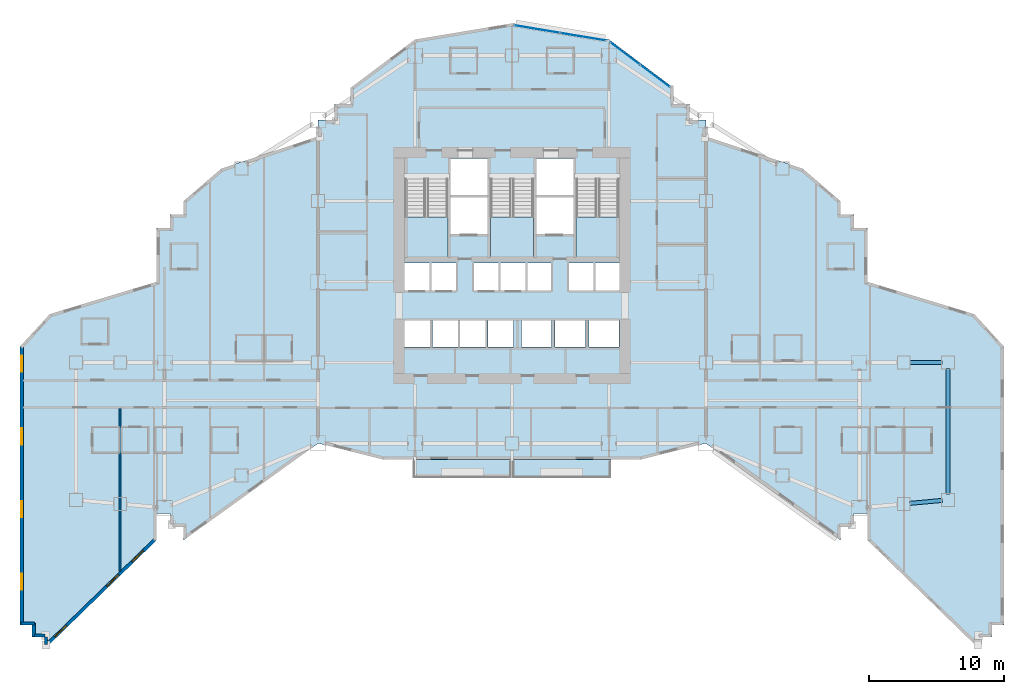
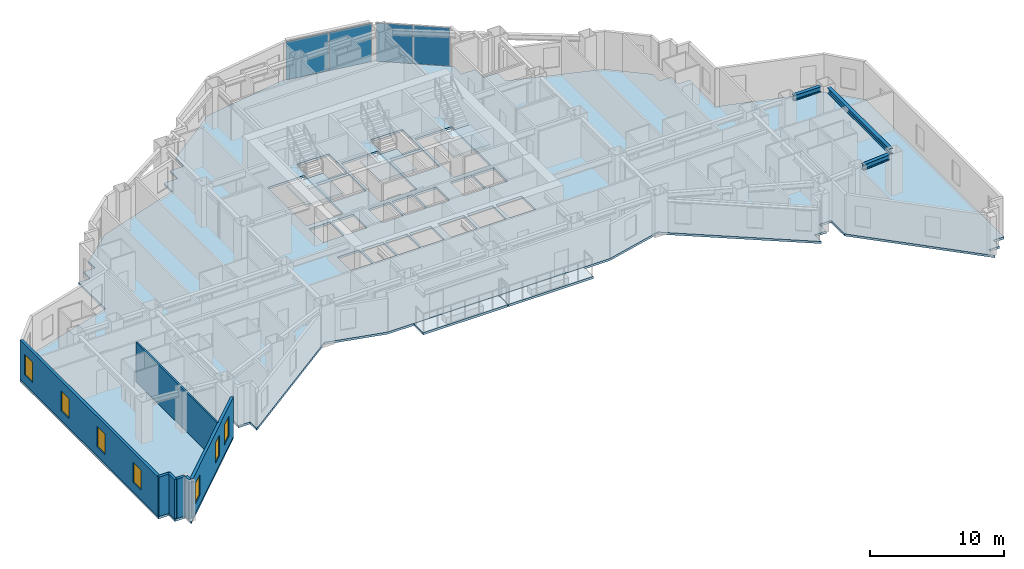
# One storey, part 5 of 18: 7 walls, 7 windows, 6 slabs, 4 plates, 3 beams, 7 openings, 5 elements without a shape of their own.
"""IFC4 building model written with IfcOpenShell, lengths in metres."""

from ifc_helpers import new_model, si_unit, direction, frame, frame_2d, origin, origin_2d, place, context, subcontext, project, spatial, polyline, rectangle, i_section, outline, extrude, material, layer, layer_set, material_profile, profile_set, type_object, element, fill, aggregate, save


model = new_model("IFC4")

# Units and contexts
model_context = context("Model", 3, precision=1e-05, world=origin(), true_north=direction((0.0, 1.0)))
body_context = subcontext(model_context, "Body", "Model", "MODEL_VIEW")
ifc_project = project(units=[si_unit("LENGTHUNIT", "METRE"), si_unit("AREAUNIT", "SQUARE_METRE"), si_unit("VOLUMEUNIT", "CUBIC_METRE"), si_unit("PLANEANGLEUNIT", "RADIAN"), si_unit("MASSUNIT", "GRAM", prefix="KILO")], contexts=[model_context])

# Site, building, storey
site_placement = place(None, origin())
site = spatial("IfcSite", under=ifc_project, at=site_placement, CompositionType="ELEMENT")
building_placement = place(site_placement, origin())
building = spatial("IfcBuilding", under=site, at=building_placement, Name="Haolan Belvedere Tower", CompositionType="ELEMENT")
storey_placement = place(building_placement, frame((0.0, 0.0, 51.39990234375)))
storey = spatial("IfcBuildingStorey", under=building, at=storey_placement, Name="L12", CompositionType="ELEMENT", Elevation=51.39990234375)

# Beams
ifc_material_1 = material(Name="Steel Q355B", Category="steel")
ifc_material_profile = material_profile(ifc_material_1, i_section(OverallWidth=0.300048828125, OverallDepth=0.488037109375, WebThickness=0.010986328125, FlangeThickness=0.01806640625, FilletRadius=0.02587890625, at=origin_2d()), Name="Steel Q355B")
ifc_profile_set = profile_set([ifc_material_profile], Name="Steel Q355B")
beam_type = type_object("IfcBeamType", Name="BM-HM488x300x11x18", PredefinedType="SPANDREL", material=ifc_profile_set)
beam_1_placement = place(storey_placement, frame((70.800048828125, 17.85009765625, 3.356201171875), z_axis=(0.0, 1.0, 0.0), x_axis=(-1.0, 0.0, 0.0)))
element("IfcBeam", 1, at=beam_1_placement, inside=storey, type_object=beam_type, Name="L12 spandrel girder MC-T5-SE-MC-T5-NE", PredefinedType="SPANDREL", context=body_context, shape_type="SweptSolid", body=[
    extrude(i_section(OverallWidth=0.300048828125, OverallDepth=0.488037109375, WebThickness=0.010986328125, FlangeThickness=0.01806640625, FilletRadius=0.02587890625, at=origin_2d()), origin(), (0.0, 0.0, 1.0), 9.2998046875),
])
beam_2_placement = place(storey_placement, frame((67.9482421875, 17.140625, 3.356201171875), z_axis=(0.995884080761, 0.090636072764, 0.0), x_axis=(-0.090636072764, 0.995884080761, 0.0)))
element("IfcBeam", 2, at=beam_2_placement, inside=storey, type_object=beam_type, Name="L12 spandrel girder TC-T5-M1-MC-T5-SE", PredefinedType="SPANDREL", context=body_context, shape_type="SweptSolid", body=[
    extrude(i_section(OverallWidth=0.300048828125, OverallDepth=0.488037109375, WebThickness=0.010986328125, FlangeThickness=0.01806640625, FilletRadius=0.02587890625, at=origin_2d()), origin(), (0.0, 0.0, 1.0), 2.41357421875),
])
beam_3_placement = place(storey_placement, frame((67.949951171875, 27.60009765625, 3.356201171875), z_axis=(1.0, 0.0, 0.0), x_axis=(0.0, 1.0, 0.0)))
element("IfcBeam", 3, at=beam_3_placement, inside=storey, type_object=beam_type, Name="L12 spandrel girder TC-T5-M2-MC-T5-NE", PredefinedType="SPANDREL", context=body_context, shape_type="SweptSolid", body=[
    extrude(i_section(OverallWidth=0.300048828125, OverallDepth=0.488037109375, WebThickness=0.010986328125, FlangeThickness=0.01806640625, FilletRadius=0.02587890625, at=origin_2d()), origin(), (0.0, 0.0, 1.0), 2.400146484375),
])

# Curtain wall, plates
ifc_material_2 = material(Name="Anodised champagne-silver aluminium 6063-T6 and Low-E glass", Category="aluminium")
ifc_layer_1 = layer(ifc_material_2, 0.1650390625, Name="Anodised champagne-silver aluminium 6063-T6 and Low-E glass")
ifc_layer_set_1 = layer_set([ifc_layer_1], Name="Anodised champagne-silver aluminium 6063-T6 and Low-E glass")
curtain_wall_type = type_object("IfcCurtainWallType", Name="CW-SYS-02", PredefinedType="NOTDEFINED", material=ifc_layer_set_1)
curtain_wall_1_placement = place(storey_placement, origin())
curtain_wall_1 = element("IfcCurtainWall", 4, at=curtain_wall_1_placement, inside=storey, type_object=curtain_wall_type, Name="L12 CW-SYS-02 ribbon curtain wall 41.1", PredefinedType="NOTDEFINED")
ifc_material_3 = material(Name="Double silver Low-E laminated insulating glass", Category="glass")
ifc_layer_2 = layer(ifc_material_3, 0.02587890625, Name="Double silver Low-E laminated insulating glass")
ifc_layer_set_2 = layer_set([ifc_layer_2], Name="Double silver Low-E laminated insulating glass")
plate_type = type_object("IfcPlateType", Name="CW-SYS-02-PNL", PredefinedType="CURTAIN_PANEL", material=ifc_layer_set_2)
plate_1_placement = place(storey_placement, frame((49.02978515625, 48.877685546875, 0.05517578125), z_axis=(0.0, 0.0, 1.0), x_axis=(-0.800004262313, 0.599994316874, 0.0)))
plate_1 = element("IfcPlate", 5, at=plate_1_placement, type_object=plate_type, Name="CW-02 panel 1.1", PredefinedType="CURTAIN_PANEL", context=body_context, shape_type="SweptSolid", body=[
    extrude(rectangle(XDim=2.725341796875, YDim=0.02587890625, at=origin_2d()), origin(), (0.0, 0.0, 1.0), 3.489990234375),
])
plate_2_placement = place(storey_placement, frame((46.801513671875, 50.548828125, 0.05517578125), z_axis=(0.0, 0.0, 1.0), x_axis=(-0.800004262313, 0.599994316874, 0.0)))
plate_2 = element("IfcPlate", 6, at=plate_2_placement, type_object=plate_type, Name="CW-02 panel 2.1", PredefinedType="CURTAIN_PANEL", context=body_context, shape_type="SweptSolid", body=[
    extrude(rectangle(XDim=2.725341796875, YDim=0.02587890625, at=origin_2d()), origin(), (0.0, 0.0, 1.0), 3.489990234375),
])
aggregate(curtain_wall_1, [plate_1, plate_2])

curtain_wall_2_placement = place(storey_placement, origin())
curtain_wall_2 = element("IfcCurtainWall", 7, at=curtain_wall_2_placement, inside=storey, type_object=curtain_wall_type, Name="L12 CW-SYS-02 ribbon curtain wall 42.1", PredefinedType="NOTDEFINED")
plate_3_placement = place(storey_placement, frame((43.6796875, 51.79833984375, 0.05517578125), z_axis=(0.0, 0.0, 1.0), x_axis=(-0.9863931483, 0.16440364043, 0.0)))
plate_3 = element("IfcPlate", 8, at=plate_3_placement, type_object=plate_type, Name="CW-02 panel 1.1", PredefinedType="CURTAIN_PANEL", context=body_context, shape_type="SweptSolid", body=[
    extrude(rectangle(XDim=3.39501953125, YDim=0.02587890625, at=origin_2d()), origin(), (0.0, 0.0, 1.0), 3.489990234375),
])
plate_4_placement = place(storey_placement, frame((40.271728515625, 52.366455078125, 0.05517578125), z_axis=(0.0, 0.0, 1.0), x_axis=(-0.9863931483, 0.16440364043, 0.0)))
plate_4 = element("IfcPlate", 9, at=plate_4_placement, type_object=plate_type, Name="CW-02 panel 2.1", PredefinedType="CURTAIN_PANEL", context=body_context, shape_type="SweptSolid", body=[
    extrude(rectangle(XDim=3.39501953125, YDim=0.02587890625, at=origin_2d()), origin(), (0.0, 0.0, 1.0), 3.489990234375),
])
aggregate(curtain_wall_2, [plate_3, plate_4])

# Slabs
ifc_material_4 = material(Name="Concrete C40/50", Category="concrete")
ifc_layer_3 = layer(ifc_material_4, 0.2099609375, Name="Concrete C40/50")
ifc_layer_set_3 = layer_set([ifc_layer_3], Name="Concrete C40/50")
slab_type_1 = type_object("IfcSlabType", Name="SL-BAL-210", PredefinedType="FLOOR", material=ifc_layer_set_3)
slab_1_placement = place(storey_placement, frame((0.0, 0.0, -0.22998046875)))
element("IfcSlab", 10, at=slab_1_placement, inside=storey, type_object=slab_type_1, Name="L12 structural tree-planter balcony slab BAL-L12-S1", PredefinedType="FLOOR", context=body_context, shape_type="SweptSolid", body=[
    extrude(outline(polyline([(31.050048828125, 19.02001953125), (38.3798828125, 19.02001953125), (38.3798828125, 20.39990234375), (31.050048828125, 20.39990234375), (31.050048828125, 19.02001953125)])), origin(), (0.0, 0.0, 1.0), 0.2099609375),
])
slab_2_placement = place(storey_placement, frame((0.0, 0.0, -0.22998046875)))
element("IfcSlab", 11, at=slab_2_placement, inside=storey, type_object=slab_type_1, Name="L12 structural tree-planter balcony slab BAL-L12-S2", PredefinedType="FLOOR", context=body_context, shape_type="SweptSolid", body=[
    extrude(outline(polyline([(38.419921875, 19.02001953125), (45.75, 19.02001953125), (45.75, 20.39990234375), (38.419921875, 20.39990234375), (38.419921875, 19.02001953125)])), origin(), (0.0, 0.0, 1.0), 0.2099609375),
])
ifc_layer_4 = layer(ifc_material_4, 0.199951171875, Name="Concrete C40/50")
ifc_layer_set_4 = layer_set([ifc_layer_4], Name="Concrete C40/50")
slab_type_2 = type_object("IfcSlabType", Name="SL-FLR-200", PredefinedType="FLOOR", material=ifc_layer_set_4)
slab_3_placement = place(storey_placement, frame((0.0, 0.0, -0.199951171875)))
element("IfcSlab", 12, at=slab_3_placement, inside=storey, type_object=slab_type_2, Name="L12 structural floor slab", PredefinedType="FLOOR", context=body_context, shape_type="SweptSolid", body=[
    extrude(outline(polyline([(1.860107421875, 28.800048828125), (1.860107421875, 8.697021484375), (1.860107421875, 8.096923828125), (2.760009765625, 8.096923828125), (2.760009765625, 7.197021484375), (3.659912109375, 7.197021484375), (3.659912109375, 6.297119140625), (12.0, 14.39990234375), (12.0, 16.39990234375), (13.0, 16.39990234375), (13.0, 15.39990234375), (14.0, 15.39990234375), (14.0, 14.39990234375), (24.0, 21.60009765625), (28.800048828125, 20.39990234375), (48.0, 20.39990234375), (52.800048828125, 21.60009765625), (62.800048828125, 14.39990234375), (62.800048828125, 15.39990234375), (63.800048828125, 15.39990234375), (63.800048828125, 16.39990234375), (64.800048828125, 16.39990234375), (64.800048828125, 14.39990234375), (73.139892578125, 6.297119140625), (73.139892578125, 7.197021484375), (74.0400390625, 7.197021484375), (74.0400390625, 8.096923828125), (74.93994140625, 8.096923828125), (74.93994140625, 28.800048828125), (72.739990234375, 31.199951171875), (64.800048828125, 33.60009765625), (64.800048828125, 37.60009765625), (63.800048828125, 37.60009765625), (63.800048828125, 38.60009765625), (62.800048828125, 38.60009765625), (62.800048828125, 39.60009765625), (60.0, 42.0), (52.800048828125, 44.39990234375), (52.800048828125, 45.60009765625), (51.60009765625, 45.60009765625), (51.60009765625, 46.800048828125), (50.39990234375, 46.800048828125), (50.39990234375, 48.0), (45.60009765625, 51.60009765625), (38.39990234375, 52.800048828125), (31.199951171875, 51.60009765625), (26.39990234375, 48.0), (26.39990234375, 46.800048828125), (25.199951171875, 46.800048828125), (25.199951171875, 45.60009765625), (24.0, 45.60009765625), (24.0, 44.39990234375), (16.800048828125, 42.0), (14.0, 39.60009765625), (14.0, 38.60009765625), (13.0, 38.60009765625), (13.0, 37.60009765625), (12.0, 37.60009765625), (12.0, 33.60009765625), (4.06005859375, 31.199951171875), (1.860107421875, 28.800048828125)]), holes=[polyline([(30.449951171875, 41.22998046875), (30.449951171875, 35.449951171875), (33.6298828125, 35.449951171875), (33.6298828125, 41.22998046875), (30.449951171875, 41.22998046875)]), polyline([(36.81005859375, 41.22998046875), (36.81005859375, 35.449951171875), (39.989990234375, 35.449951171875), (39.989990234375, 41.22998046875), (36.81005859375, 41.22998046875)]), polyline([(43.169921875, 41.22998046875), (43.169921875, 35.449951171875), (46.35009765625, 35.449951171875), (46.35009765625, 41.22998046875), (43.169921875, 41.22998046875)]), polyline([(33.830078125, 40.050048828125), (36.610107421875, 40.050048828125), (36.610107421875, 42.75), (33.830078125, 42.75), (33.830078125, 40.050048828125)]), polyline([(33.830078125, 37.14990234375), (36.610107421875, 37.14990234375), (36.610107421875, 39.85009765625), (33.830078125, 39.85009765625), (33.830078125, 37.14990234375)]), polyline([(40.18994140625, 40.050048828125), (42.969970703125, 40.050048828125), (42.969970703125, 42.75), (40.18994140625, 42.75), (40.18994140625, 40.050048828125)]), polyline([(40.18994140625, 37.14990234375), (42.969970703125, 37.14990234375), (42.969970703125, 39.85009765625), (40.18994140625, 39.85009765625), (40.18994140625, 37.14990234375)]), polyline([(30.419921875, 32.949951171875), (32.27001953125, 32.949951171875), (32.27001953125, 35.0), (30.419921875, 35.0), (30.419921875, 32.949951171875)]), polyline([(32.409912109375, 32.949951171875), (34.260009765625, 32.949951171875), (34.260009765625, 35.0), (32.409912109375, 35.0), (32.409912109375, 32.949951171875)]), polyline([(35.56005859375, 32.949951171875), (37.409912109375, 32.949951171875), (37.409912109375, 35.0), (35.56005859375, 35.0), (35.56005859375, 32.949951171875)]), polyline([(37.550048828125, 32.949951171875), (39.39990234375, 32.949951171875), (39.39990234375, 35.0), (37.550048828125, 35.0), (37.550048828125, 32.949951171875)]), polyline([(39.5400390625, 32.949951171875), (41.389892578125, 32.949951171875), (41.389892578125, 35.0), (39.5400390625, 35.0), (39.5400390625, 32.949951171875)]), polyline([(42.6201171875, 32.949951171875), (44.469970703125, 32.949951171875), (44.469970703125, 35.0), (42.6201171875, 35.0), (42.6201171875, 32.949951171875)]), polyline([(44.580078125, 32.949951171875), (46.3798828125, 32.949951171875), (46.3798828125, 35.0), (44.580078125, 35.0), (44.580078125, 32.949951171875)]), polyline([(30.419921875, 28.75), (32.320068359375, 28.75), (32.320068359375, 30.75), (30.419921875, 30.75), (30.419921875, 28.75)]), polyline([(32.47998046875, 28.75), (34.3798828125, 28.75), (34.3798828125, 30.75), (32.47998046875, 30.75), (32.47998046875, 28.75)]), polyline([(34.5400390625, 28.75), (36.43994140625, 28.75), (36.43994140625, 30.75), (34.5400390625, 30.75), (34.5400390625, 28.75)]), polyline([(36.60009765625, 28.75), (38.5, 28.75), (38.5, 30.75), (36.60009765625, 30.75), (36.60009765625, 28.75)]), polyline([(39.10009765625, 28.75), (41.340087890625, 28.75), (41.340087890625, 30.75), (39.10009765625, 30.75), (39.10009765625, 28.75)]), polyline([(41.610107421875, 28.75), (43.85009765625, 28.75), (43.85009765625, 30.75), (41.610107421875, 30.75), (41.610107421875, 28.75)]), polyline([(44.1201171875, 28.75), (46.360107421875, 28.75), (46.360107421875, 30.75), (44.1201171875, 30.75), (44.1201171875, 28.75)])]), origin(), (0.0, 0.0, 1.0), 0.199951171875),
])

# Stair, slab
stair_type = type_object("IfcStairType", Name="STR-DL-22R-173", PredefinedType="HALF_TURN_STAIR", material=ifc_material_4)
stair_1_placement = place(storey_placement, origin())
stair_1 = element("IfcStair", 13, at=stair_1_placement, inside=storey, type_object=stair_type, Name="L12 Smokeproof Core Exit Stair ST1", PredefinedType="HALF_TURN_STAIR")
ifc_layer_5 = layer(ifc_material_4, 0.199951171875, Name="Concrete C40/50")
ifc_layer_set_5 = layer_set([ifc_layer_5], Name="Concrete C40/50")
slab_type_3 = type_object("IfcSlabType", Name="SL-LAND-200", PredefinedType="LANDING", material=ifc_layer_set_5)
slab_4_placement = place(storey_placement, frame((0.0, 0.0, 1.7001953125)))
slab_4 = element("IfcSlab", 14, at=slab_4_placement, type_object=slab_type_3, Name="ST1 landing 1", PredefinedType="LANDING", context=body_context, shape_type="SweptSolid", body=[
    extrude(outline(polyline([(30.449951171875, 38.429931640625), (30.449951171875, 35.449951171875), (33.6298828125, 35.449951171875), (33.6298828125, 38.429931640625), (30.449951171875, 38.429931640625)])), origin(), (0.0, 0.0, 1.0), 0.199951171875),
])
aggregate(stair_1, [slab_4])

stair_2_placement = place(storey_placement, origin())
stair_2 = element("IfcStair", 15, at=stair_2_placement, inside=storey, type_object=stair_type, Name="L12 Smokeproof Core Exit Stair ST3", PredefinedType="HALF_TURN_STAIR")
slab_5_placement = place(storey_placement, frame((0.0, 0.0, 1.7001953125)))
slab_5 = element("IfcSlab", 16, at=slab_5_placement, type_object=slab_type_3, Name="ST3 landing 1", PredefinedType="LANDING", context=body_context, shape_type="SweptSolid", body=[
    extrude(outline(polyline([(36.81005859375, 38.429931640625), (36.81005859375, 35.449951171875), (39.989990234375, 35.449951171875), (39.989990234375, 38.429931640625), (36.81005859375, 38.429931640625)])), origin(), (0.0, 0.0, 1.0), 0.199951171875),
])
aggregate(stair_2, [slab_5])

stair_3_placement = place(storey_placement, origin())
stair_3 = element("IfcStair", 17, at=stair_3_placement, inside=storey, type_object=stair_type, Name="L12 Smokeproof Core Exit Stair ST2", PredefinedType="HALF_TURN_STAIR")
slab_6_placement = place(storey_placement, frame((0.0, 0.0, 1.7001953125)))
slab_6 = element("IfcSlab", 18, at=slab_6_placement, type_object=slab_type_3, Name="ST2 landing 1", PredefinedType="LANDING", context=body_context, shape_type="SweptSolid", body=[
    extrude(outline(polyline([(43.169921875, 38.429931640625), (43.169921875, 35.449951171875), (46.35009765625, 35.449951171875), (46.35009765625, 38.429931640625), (43.169921875, 38.429931640625)])), origin(), (0.0, 0.0, 1.0), 0.199951171875),
])
aggregate(stair_3, [slab_6])

# Walls
ifc_material_5 = material(Name="Precast concrete C40/50", Category="concrete")
ifc_layer_6 = layer(ifc_material_5, 0.239990234375, Name="Precast concrete C40/50")
ifc_layer_set_6 = layer_set([ifc_layer_6], Name="Precast concrete C40/50")
wall_type_1 = type_object("IfcWallType", Name="WL-EXT-240", PredefinedType="SOLIDWALL", material=ifc_layer_set_6)
for number, where, z_axis, x_axis, name in (
    (19, (1.925048828125, 8.217041015625, 0.0), (0.0, 0.0, 1.0), (1.0, 0.0, 0.0), "L12 pale-metal exterior spandrel wall 1.1"),
    (20, (2.8798828125, 8.27197265625, 0.0), (0.0, 0.0, 1.0), (0.0, -1.0, 0.0), "L12 pale-metal exterior spandrel wall 2.1"),
):
    element("IfcWall", number, at=place(storey_placement, frame(where, z_axis=z_axis, x_axis=x_axis)), inside=storey, type_object=wall_type_1, Name=name, PredefinedType="SOLIDWALL", context=body_context, shape_type="SweptSolid", body=[
        extrude(rectangle(XDim=1.010009765625, YDim=0.239990234375, at=frame_2d((0.5048828125, 0.0))), origin(), (0.0, 0.0, 1.0), 3.60009765625),
    ])
wall_1_placement = place(storey_placement, frame((2.945068359375, 7.31689453125, 0.0), z_axis=(0.0, 0.0, 1.0), x_axis=(1.0, 0.0, 0.0)))
element("IfcWall", 21, at=wall_1_placement, inside=storey, type_object=wall_type_1, Name="L12 pale-metal exterior spandrel wall 3.1", PredefinedType="SOLIDWALL", context=body_context, shape_type="SweptSolid", body=[
    extrude(rectangle(XDim=0.75, YDim=0.239990234375, at=frame_2d((0.375, 0.0))), origin(), (0.0, 0.0, 1.0), 3.60009765625),
])
wall_2_placement = place(storey_placement, frame((3.780029296875, 7.23193359375, 0.0), z_axis=(0.0, 0.0, 1.0), x_axis=(0.0, -1.0, 0.0)))
element("IfcWall", 22, at=wall_2_placement, inside=storey, type_object=wall_type_1, Name="L12 pale-metal exterior spandrel wall 4.1", PredefinedType="SOLIDWALL", context=body_context, shape_type="SweptSolid", body=[
    extrude(rectangle(XDim=0.56591796875, YDim=0.239990234375, at=frame_2d((0.282958984375, 0.0))), origin(), (0.0, 0.0, 1.0), 3.60009765625),
])

# Wall, openings, windows
wall_3_placement = place(storey_placement, frame((3.937744140625, 6.734130859375, 0.0), z_axis=(0.0, 0.0, 1.0), x_axis=(0.717223616435, 0.696843084222, 0.0)))
wall_3 = element("IfcWall", 23, at=wall_3_placement, inside=storey, type_object=wall_type_1, Name="L12 pale-metal exterior spandrel wall 5.1", PredefinedType="SOLIDWALL", context=body_context, shape_type="SweptSolid", body=[
    extrude(rectangle(XDim=11.128662109375, YDim=0.239990234375, at=frame_2d((5.564453125, 0.0))), origin(), (0.0, 0.0, 1.0), 3.60009765625),
])
opening_1_placement = place(wall_3_placement, frame((0.699951171875, 0.0, 0.85009765625)))
opening_1 = element("IfcOpeningElement", 24, at=opening_1_placement, cuts=wall_3, Name="Opening W-01", PredefinedType="OPENING", context=body_context, shape_type="SweptSolid", body=[
    extrude(rectangle(XDim=1.199951171875, YDim=1.85009765625, at=frame_2d((0.60009765625, 0.925048828125))), frame((0.0, 0.1298828125, 0.0), z_axis=(0.0, -1.0, 0.0), x_axis=(1.0, 0.0, 0.0)), (0.0, 0.0, 1.0), 0.260009765625),
])
opening_2_placement = place(wall_3_placement, frame((6.10009765625, 0.0, 0.85009765625)))
opening_2 = element("IfcOpeningElement", 25, at=opening_2_placement, cuts=wall_3, Name="Opening W-01", PredefinedType="OPENING", context=body_context, shape_type="SweptSolid", body=[
    extrude(rectangle(XDim=1.199951171875, YDim=1.85009765625, at=frame_2d((0.60009765625, 0.925048828125))), frame((0.0, 0.1298828125, 0.0), z_axis=(0.0, -1.0, 0.0), x_axis=(1.0, 0.0, 0.0)), (0.0, 0.0, 1.0), 0.260009765625),
])
opening_3_placement = place(wall_3_placement, frame((8.684326171875, 0.0, 0.85009765625)))
opening_3 = element("IfcOpeningElement", 26, at=opening_3_placement, cuts=wall_3, Name="Opening W-01", PredefinedType="OPENING", context=body_context, shape_type="SweptSolid", body=[
    extrude(rectangle(XDim=1.199951171875, YDim=1.85009765625, at=frame_2d((0.60009765625, 0.925048828125))), frame((0.0, 0.1298828125, 0.0), z_axis=(0.0, -1.0, 0.0), x_axis=(1.0, 0.0, 0.0)), (0.0, 0.0, 1.0), 0.260009765625),
])
ifc_material_6 = material(Name="Anodised aluminium 6063-T6 and Low-E glass", Category="aluminium")
window_type = type_object("IfcWindowType", Name="WN-DECO-Z1", PartitioningType="SINGLE_PANEL", PredefinedType="WINDOW", material=ifc_material_6)
window_1_placement = place(opening_1_placement, origin())
window_1 = element("IfcWindow", 27, at=window_1_placement, inside=storey, type_object=window_type, Name="L12 Art Deco chevron window 1", OverallHeight=1.85009765625, OverallWidth=1.199951171875, PartitioningType="SINGLE_PANEL", PredefinedType="WINDOW", context=body_context, shape_type="SweptSolid", body=[
    extrude(rectangle(XDim=1.199951171875, YDim=1.85009765625, at=frame_2d((0.60009765625, 0.925048828125))), frame((0.0, 0.030029296875, 0.0), z_axis=(0.0, -1.0, 0.0), x_axis=(1.0, 0.0, 0.0)), (0.0, 0.0, 1.0), 0.06005859375),
])
fill(opening_1, window_1)
window_2_placement = place(opening_2_placement, origin())
window_2 = element("IfcWindow", 28, at=window_2_placement, inside=storey, type_object=window_type, Name="L12 Art Deco chevron window 2", OverallHeight=1.85009765625, OverallWidth=1.199951171875, PartitioningType="SINGLE_PANEL", PredefinedType="WINDOW", context=body_context, shape_type="SweptSolid", body=[
    extrude(rectangle(XDim=1.199951171875, YDim=1.85009765625, at=frame_2d((0.60009765625, 0.925048828125))), frame((0.0, 0.030029296875, 0.0), z_axis=(0.0, -1.0, 0.0), x_axis=(1.0, 0.0, 0.0)), (0.0, 0.0, 1.0), 0.06005859375),
])
fill(opening_2, window_2)
window_3_placement = place(opening_3_placement, origin())
window_3 = element("IfcWindow", 29, at=window_3_placement, inside=storey, type_object=window_type, Name="L12 Art Deco guestroom window 2", OverallHeight=1.85009765625, OverallWidth=1.199951171875, PartitioningType="SINGLE_PANEL", PredefinedType="WINDOW", context=body_context, shape_type="SweptSolid", body=[
    extrude(rectangle(XDim=1.199951171875, YDim=1.85009765625, at=frame_2d((0.60009765625, 0.925048828125))), frame((0.0, 0.030029296875, 0.0), z_axis=(0.0, -1.0, 0.0), x_axis=(1.0, 0.0, 0.0)), (0.0, 0.0, 1.0), 0.06005859375),
])
fill(opening_3, window_3)

wall_4_placement = place(storey_placement, frame((1.97998046875, 28.808349609375, 0.0), z_axis=(0.0, 0.0, 1.0), x_axis=(0.0, -1.0, 0.0)))
wall_4 = element("IfcWall", 30, at=wall_4_placement, inside=storey, type_object=wall_type_1, Name="L12 pale-metal exterior spandrel wall 59.1", PredefinedType="SOLIDWALL", context=body_context, shape_type="SweptSolid", body=[
    extrude(rectangle(XDim=20.646240234375, YDim=0.239990234375, at=frame_2d((10.3232421875, 0.0))), origin(), (0.0, 0.0, 1.0), 3.60009765625),
])
opening_4_placement = place(wall_4_placement, frame((0.699951171875, 0.0, 0.85009765625)))
opening_4 = element("IfcOpeningElement", 31, at=opening_4_placement, cuts=wall_4, Name="Opening W-01", PredefinedType="OPENING", context=body_context, shape_type="SweptSolid", body=[
    extrude(rectangle(XDim=1.199951171875, YDim=1.85009765625, at=frame_2d((0.60009765625, 0.925048828125))), frame((0.0, 0.1298828125, 0.0), z_axis=(0.0, -1.0, 0.0), x_axis=(1.0, 0.0, 0.0)), (0.0, 0.0, 1.0), 0.260009765625),
])
opening_5_placement = place(wall_4_placement, frame((6.10009765625, 0.0, 0.85009765625)))
opening_5 = element("IfcOpeningElement", 32, at=opening_5_placement, cuts=wall_4, Name="Opening W-01", PredefinedType="OPENING", context=body_context, shape_type="SweptSolid", body=[
    extrude(rectangle(XDim=1.199951171875, YDim=1.85009765625, at=frame_2d((0.60009765625, 0.925048828125))), frame((0.0, 0.1298828125, 0.0), z_axis=(0.0, -1.0, 0.0), x_axis=(1.0, 0.0, 0.0)), (0.0, 0.0, 1.0), 0.260009765625),
])
opening_6_placement = place(wall_4_placement, frame((11.5, 0.0, 0.85009765625)))
opening_6 = element("IfcOpeningElement", 33, at=opening_6_placement, cuts=wall_4, Name="Opening W-01", PredefinedType="OPENING", context=body_context, shape_type="SweptSolid", body=[
    extrude(rectangle(XDim=1.199951171875, YDim=1.85009765625, at=frame_2d((0.60009765625, 0.925048828125))), frame((0.0, 0.1298828125, 0.0), z_axis=(0.0, -1.0, 0.0), x_axis=(1.0, 0.0, 0.0)), (0.0, 0.0, 1.0), 0.260009765625),
])
opening_7_placement = place(wall_4_placement, frame((16.89990234375, 0.0, 0.85009765625)))
opening_7 = element("IfcOpeningElement", 34, at=opening_7_placement, cuts=wall_4, Name="Opening W-01", PredefinedType="OPENING", context=body_context, shape_type="SweptSolid", body=[
    extrude(rectangle(XDim=1.199951171875, YDim=1.85009765625, at=frame_2d((0.60009765625, 0.925048828125))), frame((0.0, 0.1298828125, 0.0), z_axis=(0.0, -1.0, 0.0), x_axis=(1.0, 0.0, 0.0)), (0.0, 0.0, 1.0), 0.260009765625),
])
window_4_placement = place(opening_4_placement, origin())
window_4 = element("IfcWindow", 35, at=window_4_placement, inside=storey, type_object=window_type, Name="L12 Art Deco chevron window 1", OverallHeight=1.85009765625, OverallWidth=1.199951171875, PartitioningType="SINGLE_PANEL", PredefinedType="WINDOW", context=body_context, shape_type="SweptSolid", body=[
    extrude(rectangle(XDim=1.199951171875, YDim=1.85009765625, at=frame_2d((0.60009765625, 0.925048828125))), frame((0.0, 0.030029296875, 0.0), z_axis=(0.0, -1.0, 0.0), x_axis=(1.0, 0.0, 0.0)), (0.0, 0.0, 1.0), 0.06005859375),
])
fill(opening_4, window_4)
window_5_placement = place(opening_5_placement, origin())
window_5 = element("IfcWindow", 36, at=window_5_placement, inside=storey, type_object=window_type, Name="L12 Art Deco chevron window 2", OverallHeight=1.85009765625, OverallWidth=1.199951171875, PartitioningType="SINGLE_PANEL", PredefinedType="WINDOW", context=body_context, shape_type="SweptSolid", body=[
    extrude(rectangle(XDim=1.199951171875, YDim=1.85009765625, at=frame_2d((0.60009765625, 0.925048828125))), frame((0.0, 0.030029296875, 0.0), z_axis=(0.0, -1.0, 0.0), x_axis=(1.0, 0.0, 0.0)), (0.0, 0.0, 1.0), 0.06005859375),
])
fill(opening_5, window_5)
window_6_placement = place(opening_6_placement, origin())
window_6 = element("IfcWindow", 37, at=window_6_placement, inside=storey, type_object=window_type, Name="L12 Art Deco chevron window 3", OverallHeight=1.85009765625, OverallWidth=1.199951171875, PartitioningType="SINGLE_PANEL", PredefinedType="WINDOW", context=body_context, shape_type="SweptSolid", body=[
    extrude(rectangle(XDim=1.199951171875, YDim=1.85009765625, at=frame_2d((0.60009765625, 0.925048828125))), frame((0.0, 0.030029296875, 0.0), z_axis=(0.0, -1.0, 0.0), x_axis=(1.0, 0.0, 0.0)), (0.0, 0.0, 1.0), 0.06005859375),
])
fill(opening_6, window_6)
window_7_placement = place(opening_7_placement, origin())
window_7 = element("IfcWindow", 38, at=window_7_placement, inside=storey, type_object=window_type, Name="L12 Art Deco chevron window 4", OverallHeight=1.85009765625, OverallWidth=1.199951171875, PartitioningType="SINGLE_PANEL", PredefinedType="WINDOW", context=body_context, shape_type="SweptSolid", body=[
    extrude(rectangle(XDim=1.199951171875, YDim=1.85009765625, at=frame_2d((0.60009765625, 0.925048828125))), frame((0.0, 0.030029296875, 0.0), z_axis=(0.0, -1.0, 0.0), x_axis=(1.0, 0.0, 0.0)), (0.0, 0.0, 1.0), 0.06005859375),
])
fill(opening_7, window_7)

# Wall
ifc_material_7 = material(Name="Double gypsum acoustic stud partition", Category="masonry")
ifc_layer_7 = layer(ifc_material_7, 0.14990234375, Name="Double gypsum acoustic stud partition")
ifc_layer_set_7 = layer_set([ifc_layer_7], Name="Double gypsum acoustic stud partition")
wall_type_2 = type_object("IfcWallType", Name="WL-PART-150", PredefinedType="PARTITIONING", material=ifc_layer_set_7)
wall_5_placement = place(storey_placement, frame((9.300048828125, 12.09033203125, 0.0), z_axis=(0.0, 0.0, 1.0), x_axis=(0.0, 1.0, 0.0)))
element("IfcWall", 39, at=wall_5_placement, inside=storey, type_object=wall_type_2, Name="L12 interior partition IW-L12-T1S1-E", PredefinedType="PARTITIONING", context=body_context, shape_type="SweptSolid", body=[
    extrude(rectangle(XDim=12.11962890625, YDim=0.14990234375, at=frame_2d((6.059814453125, 0.0))), origin(), (0.0, 0.0, 1.0), 3.60009765625),
])

save(model, "model.ifc")
